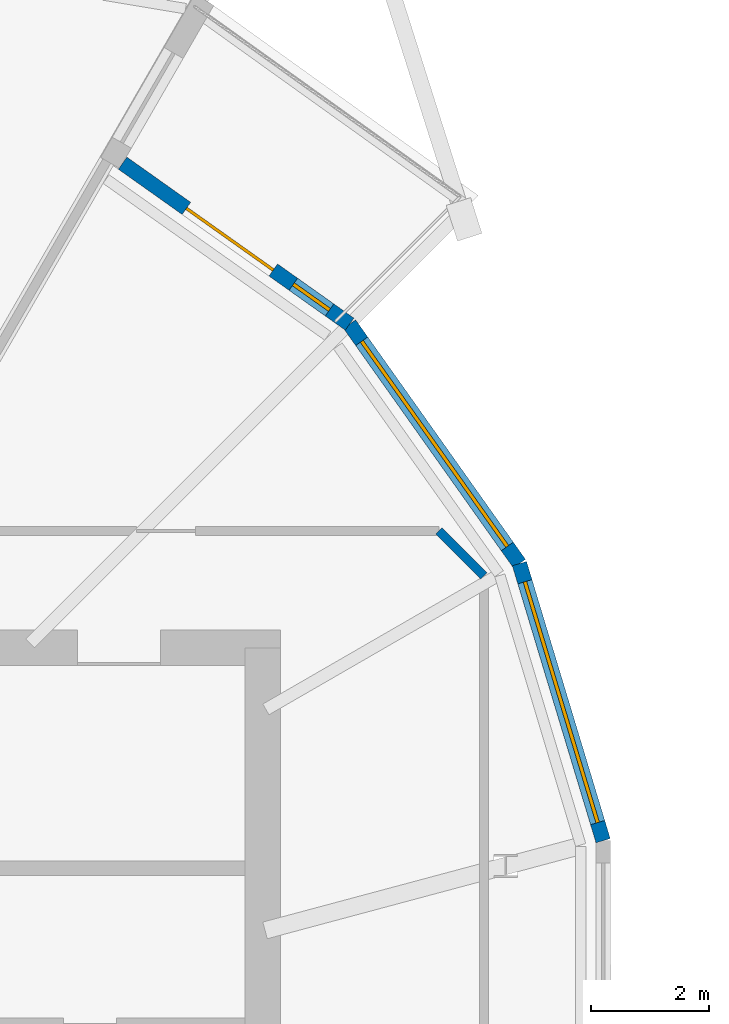
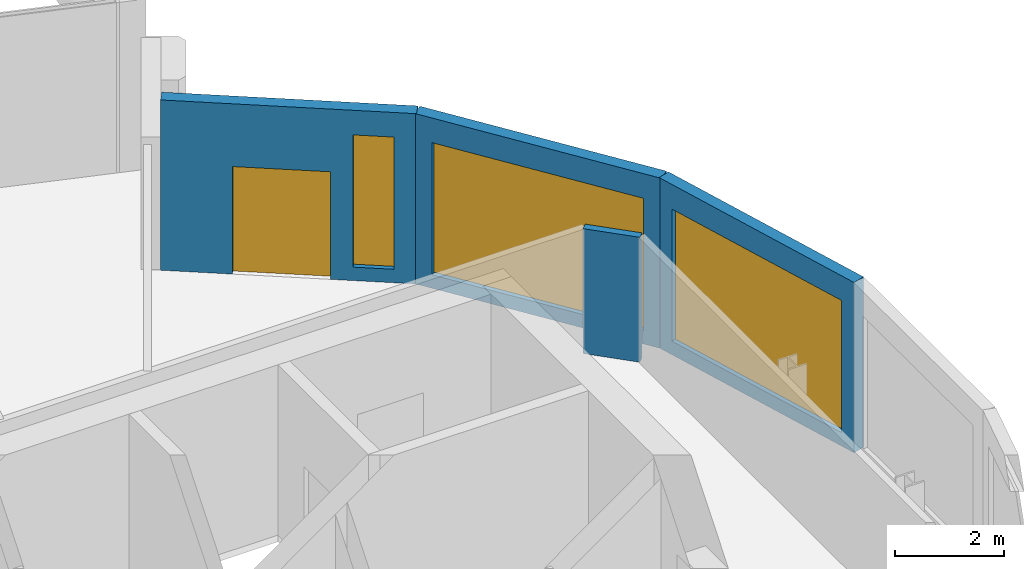
# One storey, part 27 of 37: 4 walls, 3 windows, 1 door, 4 openings.
"""IFC4 building model written with IfcOpenShell, lengths in metres."""

from ifc_helpers import new_model, si_unit, direction, frame, frame_2d, origin, place, context, subcontext, project, spatial, rectangle, extrude, material, layer, layer_set, type_object, element, fill, save


model = new_model("IFC4")

# Units and contexts
model_context = context("Model", 3, precision=1e-05, world=origin(), true_north=direction((0.0, 1.0)))
body_context = subcontext(model_context, "Body", "Model", "MODEL_VIEW")
ifc_project = project(units=[si_unit("LENGTHUNIT", "METRE"), si_unit("AREAUNIT", "SQUARE_METRE"), si_unit("VOLUMEUNIT", "CUBIC_METRE"), si_unit("PLANEANGLEUNIT", "RADIAN"), si_unit("MASSUNIT", "GRAM", prefix="KILO")], contexts=[model_context])

# Site, building, storey
site_placement = place(None, origin())
site = spatial("IfcSite", under=ifc_project, at=site_placement, CompositionType="ELEMENT")
building_placement = place(site_placement, origin())
building = spatial("IfcBuilding", under=site, at=building_placement, Name="Rimbun Link Towers", CompositionType="ELEMENT")
storey_placement = place(building_placement, frame((0.0, 0.0, 170.300048828125)))
storey = spatial("IfcBuildingStorey", under=building, at=storey_placement, Name="L41", CompositionType="ELEMENT", Elevation=170.300048828125)

# Wall, openings, door, window
ifc_material_1 = material(Name="Dark enamelled glass spandrel on insulated aluminium backpan", Category="aluminium")
ifc_layer_1 = layer(ifc_material_1, 0.25)
ifc_layer_set_1 = layer_set([ifc_layer_1], Name="CS dark enamelled spandrel wall 250")
wall_type_1 = type_object("IfcWallType", Name="CS dark enamelled spandrel wall 250", PredefinedType="STANDARD", material=ifc_layer_set_1)
wall_1_placement = place(storey_placement, frame((41.3837890625, 16.18603515625, 0.0), z_axis=(0.0, 0.0, 1.0), x_axis=(0.815645531274, -0.578551957315, 0.0)))
wall_1 = element("IfcWall", 1, at=wall_1_placement, inside=storey, type_object=wall_type_1, Name="Crease spandrel wall", PredefinedType="STANDARD", context=body_context, shape_type="SweptSolid", body=[
    extrude(rectangle(XDim=4.69970703125, YDim=0.25, at=frame_2d((2.349853515625, 0.0))), origin(), (0.0, 0.0, 1.0), 3.800048828125),
])
opening_1_placement = place(wall_1_placement, frame((3.53466796875, 0.0, 0.300048828125)))
opening_1 = element("IfcOpeningElement", 2, at=opening_1_placement, cuts=wall_1, Name="Opening WR08H295", PredefinedType="OPENING", context=body_context, shape_type="SweptSolid", body=[
    extrude(rectangle(XDim=0.75, YDim=2.949951171875, at=frame_2d((0.375, 1.47509765625))), frame((0.0, 0.135009765625, 0.0), z_axis=(0.0, -1.0, 0.0), x_axis=(1.0, 0.0, 0.0)), (0.0, 0.0, 1.0), 0.27001953125),
])
opening_2_placement = place(wall_1_placement, frame((1.319580078125, 0.0, 0.0)))
opening_2 = element("IfcOpeningElement", 3, at=opening_2_placement, cuts=wall_1, Name="Opening ED74", PredefinedType="OPENING", context=body_context, shape_type="SweptSolid", body=[
    extrude(rectangle(XDim=1.800048828125, YDim=2.39990234375, at=frame_2d((0.89990234375, 1.199951171875))), frame((0.0, 0.135009765625, 0.0), z_axis=(0.0, -1.0, 0.0), x_axis=(1.0, 0.0, 0.0)), (0.0, 0.0, 1.0), 0.27001953125),
])
ifc_material_2 = material(Name="Aluminium framed glazed door, low-iron glass", Category="aluminium")
door_type = type_object("IfcDoorType", Name="ED terrace door double leaf 1800X2400", OperationType="DOUBLE_DOOR_SINGLE_SWING", PredefinedType="DOOR", material=ifc_material_2)
door_placement = place(opening_2_placement, origin())
door = element("IfcDoor", 4, at=door_placement, inside=storey, type_object=door_type, Name="Terrace door", OperationType="SINGLE_SWING_LEFT", OverallHeight=2.39990234375, OverallWidth=1.800048828125, PredefinedType="DOOR", context=body_context, shape_type="SweptSolid", body=[
    extrude(rectangle(XDim=1.800048828125, YDim=2.39990234375, at=frame_2d((0.89990234375, 1.199951171875))), frame((0.0, 0.02490234375, 0.0), z_axis=(0.0, -1.0, 0.0), x_axis=(1.0, 0.0, 0.0)), (0.0, 0.0, 1.0), 0.050048828125),
])
fill(opening_2, door)
ifc_material_3 = material(Name="Aluminium framed fixed window, dark tinted low-e glass", Category="aluminium")
window_type_1 = type_object("IfcWindowType", Name="WR ribbon window 750X2950", PartitioningType="SINGLE_PANEL", PredefinedType="WINDOW", material=ifc_material_3)
window_1_placement = place(opening_1_placement, origin())
window_1 = element("IfcWindow", 5, at=window_1_placement, inside=storey, type_object=window_type_1, Name="Crease ribbon window", OverallHeight=2.949951171875, OverallWidth=0.75, PartitioningType="SINGLE_PANEL", PredefinedType="WINDOW", context=body_context, shape_type="SweptSolid", body=[
    extrude(rectangle(XDim=0.75, YDim=2.949951171875, at=frame_2d((0.375, 1.47509765625))), frame((0.0, 0.030029296875, 0.0), z_axis=(0.0, -1.0, 0.0), x_axis=(1.0, 0.0, 0.0)), (0.0, 0.0, 1.0), 0.06005859375),
])
fill(opening_1, window_1)

# Wall, opening, window
wall_2_placement = place(storey_placement, frame((48.08642578125, 9.421875, 0.0), z_axis=(0.0, 0.0, 1.0), x_axis=(0.289152232051, -0.957283127763, 0.0)))
wall_2 = element("IfcWall", 6, at=wall_2_placement, inside=storey, type_object=wall_type_1, Name="Crease spandrel wall", PredefinedType="STANDARD", context=body_context, shape_type="SweptSolid", body=[
    extrude(rectangle(XDim=4.8896484375, YDim=0.25, at=frame_2d((2.44482421875, 0.0))), origin(), (0.0, 0.0, 1.0), 3.800048828125),
])
opening_3_placement = place(wall_2_placement, frame((0.31982421875, 0.0, 0.300048828125)))
opening_3 = element("IfcOpeningElement", 7, at=opening_3_placement, cuts=wall_2, Name="Opening WR42H295", PredefinedType="OPENING", context=body_context, shape_type="SweptSolid", body=[
    extrude(rectangle(XDim=4.25, YDim=2.949951171875, at=frame_2d((2.125, 1.47509765625))), frame((0.0, 0.135009765625, 0.0), z_axis=(0.0, -1.0, 0.0), x_axis=(1.0, 0.0, 0.0)), (0.0, 0.0, 1.0), 0.27001953125),
])
ifc_material_4 = material(Name="Aluminium framed fixed window, dark tinted low-e glass", Category="aluminium")
window_type_2 = type_object("IfcWindowType", Name="WR ribbon window 4250X2950", PartitioningType="SINGLE_PANEL", PredefinedType="WINDOW", material=ifc_material_4)
window_2_placement = place(opening_3_placement, origin())
window_2 = element("IfcWindow", 8, at=window_2_placement, inside=storey, type_object=window_type_2, Name="Crease ribbon window", OverallHeight=2.949951171875, OverallWidth=4.25, PartitioningType="SINGLE_PANEL", PredefinedType="WINDOW", context=body_context, shape_type="SweptSolid", body=[
    extrude(rectangle(XDim=4.25, YDim=2.949951171875, at=frame_2d((2.125, 1.47509765625))), frame((0.0, 0.030029296875, 0.0), z_axis=(0.0, -1.0, 0.0), x_axis=(1.0, 0.0, 0.0)), (0.0, 0.0, 1.0), 0.06005859375),
])
fill(opening_3, window_2)

wall_3_placement = place(storey_placement, frame((45.217041015625, 13.467041015625, 0.0), z_axis=(0.0, 0.0, 1.0), x_axis=(0.578562177789, -0.815638281612, 0.0)))
wall_3 = element("IfcWall", 9, at=wall_3_placement, inside=storey, type_object=wall_type_1, Name="Crease spandrel wall", PredefinedType="STANDARD", context=body_context, shape_type="SweptSolid", body=[
    extrude(rectangle(XDim=4.95947265625, YDim=0.25, at=frame_2d((2.479736328125, 0.0))), origin(), (0.0, 0.0, 1.0), 3.800048828125),
])
opening_4_placement = place(wall_3_placement, frame((0.354736328125, 0.0, 0.300048828125)))
opening_4 = element("IfcOpeningElement", 10, at=opening_4_placement, cuts=wall_3, Name="Opening WR42H295", PredefinedType="OPENING", context=body_context, shape_type="SweptSolid", body=[
    extrude(rectangle(XDim=4.25, YDim=2.949951171875, at=frame_2d((2.125, 1.47509765625))), frame((0.0, 0.135009765625, 0.0), z_axis=(0.0, -1.0, 0.0), x_axis=(1.0, 0.0, 0.0)), (0.0, 0.0, 1.0), 0.27001953125),
])
window_3_placement = place(opening_4_placement, origin())
window_3 = element("IfcWindow", 11, at=window_3_placement, inside=storey, type_object=window_type_2, Name="Crease ribbon window", OverallHeight=2.949951171875, OverallWidth=4.25, PartitioningType="SINGLE_PANEL", PredefinedType="WINDOW", context=body_context, shape_type="SweptSolid", body=[
    extrude(rectangle(XDim=4.25, YDim=2.949951171875, at=frame_2d((2.125, 1.47509765625))), frame((0.0, 0.030029296875, 0.0), z_axis=(0.0, -1.0, 0.0), x_axis=(1.0, 0.0, 0.0)), (0.0, 0.0, 1.0), 0.06005859375),
])
fill(opening_4, window_3)

# Wall
ifc_material_5 = material(Name="Plasterboard on steel stud, mineral wool", Category="steel")
ifc_layer_2 = layer(ifc_material_5, 0.14990234375)
ifc_layer_set_2 = layer_set([ifc_layer_2], Name="Corridor wall EI 30 150 mm")
wall_type_2 = type_object("IfcWallType", Name="Corridor wall EI 30 150 mm", PredefinedType="PARTITIONING", material=ifc_layer_set_2)
wall_4_placement = place(storey_placement, frame((47.485107421875, 9.213623046875, 0.0), z_axis=(0.0, 0.0, 1.0), x_axis=(-0.707106781187, 0.707106781187, 0.0)))
element("IfcWall", 12, at=wall_4_placement, inside=storey, type_object=wall_type_2, Name="Corridor wall EI 30 150 mm", PredefinedType="PARTITIONING", context=body_context, shape_type="SweptSolid", body=[
    extrude(rectangle(XDim=1.076904296875, YDim=0.14990234375, at=frame_2d((0.53857421875, 0.0))), origin(), (0.0, 0.0, 1.0), 2.7890625),
])

save(model, "model.ifc")
